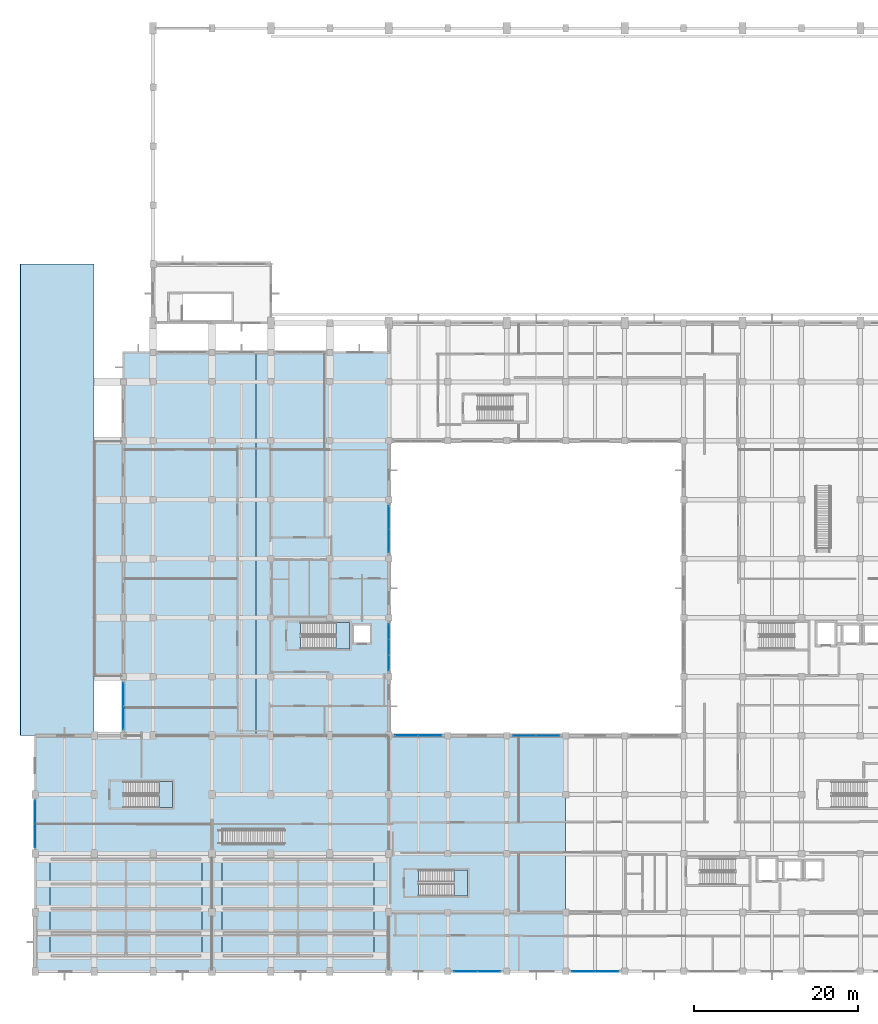
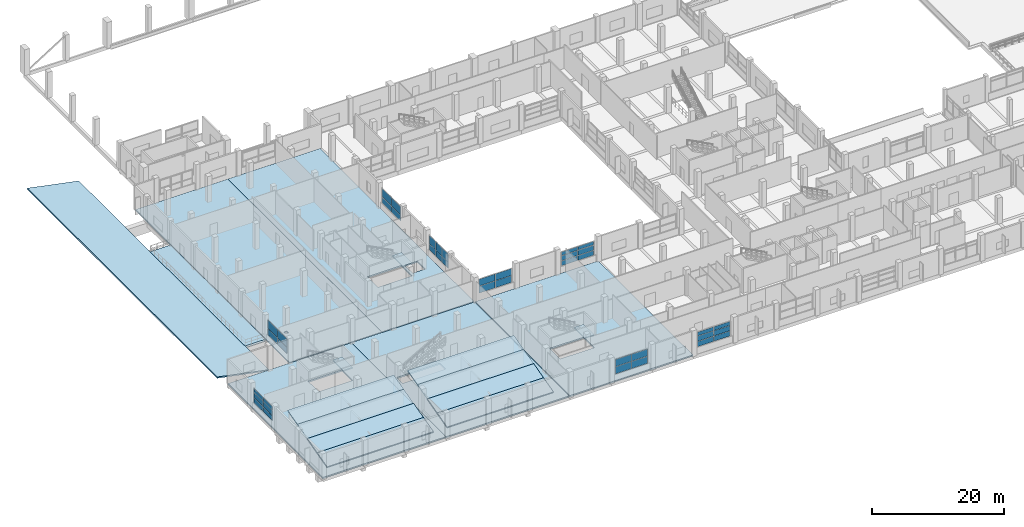
# One storey, part 111 of 140: 40 plates, 18 slabs, 11 elements without a shape of their own.
"""IFC4 building model written with IfcOpenShell, lengths in metres."""

from ifc_helpers import new_model, si_unit, direction, frame, origin, origin_2d, place, context, subcontext, project, spatial, polyline, rectangle, outline, extrude, material, layer, layer_set, type_object, element, aggregate, save


model = new_model("IFC4")

# Units and contexts
model_context = context("Model", 3, precision=1e-05, world=origin(), true_north=direction((0.0, 1.0)))
body_context = subcontext(model_context, "Body", "Model", "MODEL_VIEW")
ifc_project = project(units=[si_unit("LENGTHUNIT", "METRE"), si_unit("AREAUNIT", "SQUARE_METRE"), si_unit("VOLUMEUNIT", "CUBIC_METRE"), si_unit("PLANEANGLEUNIT", "RADIAN"), si_unit("MASSUNIT", "GRAM", prefix="KILO")], contexts=[model_context])

# Site, building, storey
site_placement = place(None, origin())
site = spatial("IfcSite", under=ifc_project, at=site_placement, CompositionType="ELEMENT")
building_placement = place(site_placement, origin())
building = spatial("IfcBuilding", under=site, at=building_placement, Name="Seraya Terrace Polytechnic", CompositionType="ELEMENT")
storey_placement = place(building_placement, frame((0.0, 0.0, 9.60009765625)))
storey = spatial("IfcBuildingStorey", under=building, at=storey_placement, Name="L02", CompositionType="ELEMENT", Elevation=9.60009765625)

# Curtain wall, plates
ifc_material_1 = material(Name="Anodised aluminium EN AW-6063 T6", Category="aluminium")
ifc_layer_1 = layer(ifc_material_1, 0.179931640625, Name="CW-04")
ifc_layer_set_1 = layer_set([ifc_layer_1], Name="Anodised aluminium EN AW-6063 T6")
curtain_wall_type_1 = type_object("IfcCurtainWallType", Name="CW-04", PredefinedType="NOTDEFINED", material=ifc_layer_set_1)
curtain_wall_1_placement = place(storey_placement, origin())
curtain_wall_1 = element("IfcCurtainWall", 1, at=curtain_wall_1_placement, inside=storey, type_object=curtain_wall_type_1, Name="Unitised curtain wall CW-04 (CW-L02-076)", PredefinedType="NOTDEFINED")
ifc_material_2 = material(Name="Laminated solar-control Low-E double glazing", Category="glass")
ifc_layer_2 = layer(ifc_material_2, 0.028076171875, Name="CWP-01")
ifc_layer_set_2 = layer_set([ifc_layer_2], Name="Laminated solar-control Low-E double glazing")
plate_type_1 = type_object("IfcPlateType", Name="CWP-01", PredefinedType="CURTAIN_PANEL", material=ifc_layer_set_2)
plate_1_placement = place(storey_placement, frame((55.423828125, 0.0, 1.2998046875), z_axis=(0.0, 0.0, 1.0), x_axis=(-1.0, 0.0, 0.0)))
plate_1 = element("IfcPlate", 2, at=plate_1_placement, type_object=plate_type_1, Name="CW-04 panel 1.1", PredefinedType="CURTAIN_PANEL", context=body_context, shape_type="SweptSolid", body=[
    extrude(rectangle(XDim=2.782470703125, YDim=0.028076171875, at=origin_2d()), origin(), (0.0, 0.0, 1.0), 1.2900390625),
])
plate_2_placement = place(storey_placement, frame((55.423828125, 0.0, 2.64990234375), z_axis=(0.0, 0.0, 1.0), x_axis=(-1.0, 0.0, 0.0)))
plate_2 = element("IfcPlate", 3, at=plate_2_placement, type_object=plate_type_1, Name="CW-04 panel 1.2", PredefinedType="CURTAIN_PANEL", context=body_context, shape_type="SweptSolid", body=[
    extrude(rectangle(XDim=2.782470703125, YDim=0.028076171875, at=origin_2d()), origin(), (0.0, 0.0, 1.0), 1.2900390625),
])
plate_3_placement = place(storey_placement, frame((52.576171875, 0.0, 1.2998046875), z_axis=(0.0, 0.0, 1.0), x_axis=(-1.0, 0.0, 0.0)))
plate_3 = element("IfcPlate", 4, at=plate_3_placement, type_object=plate_type_1, Name="CW-04 panel 2.1", PredefinedType="CURTAIN_PANEL", context=body_context, shape_type="SweptSolid", body=[
    extrude(rectangle(XDim=2.782470703125, YDim=0.028076171875, at=origin_2d()), origin(), (0.0, 0.0, 1.0), 1.2900390625),
])
plate_4_placement = place(storey_placement, frame((52.576171875, 0.0, 2.64990234375), z_axis=(0.0, 0.0, 1.0), x_axis=(-1.0, 0.0, 0.0)))
plate_4 = element("IfcPlate", 5, at=plate_4_placement, type_object=plate_type_1, Name="CW-04 panel 2.2", PredefinedType="CURTAIN_PANEL", context=body_context, shape_type="SweptSolid", body=[
    extrude(rectangle(XDim=2.782470703125, YDim=0.028076171875, at=origin_2d()), origin(), (0.0, 0.0, 1.0), 1.2900390625),
])
aggregate(curtain_wall_1, [plate_1, plate_2, plate_3, plate_4])

ifc_layer_3 = layer(ifc_material_1, 0.179931640625, Name="CW-07")
ifc_layer_set_3 = layer_set([ifc_layer_3], Name="Anodised aluminium EN AW-6063 T6")
curtain_wall_type_2 = type_object("IfcCurtainWallType", Name="CW-07", PredefinedType="NOTDEFINED", material=ifc_layer_set_3)
curtain_wall_2_placement = place(storey_placement, origin())
curtain_wall_2 = element("IfcCurtainWall", 6, at=curtain_wall_2_placement, inside=storey, type_object=curtain_wall_type_2, Name="Unitised curtain wall CW-07 (CW-L02-079)", PredefinedType="NOTDEFINED")
plate_5_placement = place(storey_placement, frame((59.7763671875, 28.800048828125, 1.300048828125), z_axis=(0.0, 0.0, 1.0), x_axis=(1.0, 0.0, 0.0)))
plate_5 = element("IfcPlate", 7, at=plate_5_placement, type_object=plate_type_1, Name="CW-07 panel 1.1", PredefinedType="CURTAIN_PANEL", context=body_context, shape_type="SweptSolid", body=[
    extrude(rectangle(XDim=2.782470703125, YDim=0.028076171875, at=origin_2d()), origin(), (0.0, 0.0, 1.0), 0.87109375),
])
plate_6_placement = place(storey_placement, frame((59.7763671875, 28.800048828125, 2.23095703125), z_axis=(0.0, 0.0, 1.0), x_axis=(1.0, 0.0, 0.0)))
plate_6 = element("IfcPlate", 8, at=plate_6_placement, type_object=plate_type_1, Name="CW-07 panel 1.2", PredefinedType="CURTAIN_PANEL", context=body_context, shape_type="SweptSolid", body=[
    extrude(rectangle(XDim=2.782470703125, YDim=0.028076171875, at=origin_2d()), origin(), (0.0, 0.0, 1.0), 0.901123046875),
])
plate_7_placement = place(storey_placement, frame((59.7763671875, 28.800048828125, 3.192138671875), z_axis=(0.0, 0.0, 1.0), x_axis=(1.0, 0.0, 0.0)))
plate_7 = element("IfcPlate", 9, at=plate_7_placement, type_object=plate_type_1, Name="CW-07 panel 1.3", PredefinedType="CURTAIN_PANEL", context=body_context, shape_type="SweptSolid", body=[
    extrude(rectangle(XDim=2.782470703125, YDim=0.028076171875, at=origin_2d()), origin(), (0.0, 0.0, 1.0), 0.65771484375),
])
plate_8_placement = place(storey_placement, frame((62.623779296875, 28.800048828125, 1.300048828125), z_axis=(0.0, 0.0, 1.0), x_axis=(1.0, 0.0, 0.0)))
plate_8 = element("IfcPlate", 10, at=plate_8_placement, type_object=plate_type_1, Name="CW-07 panel 2.1", PredefinedType="CURTAIN_PANEL", context=body_context, shape_type="SweptSolid", body=[
    extrude(rectangle(XDim=2.782470703125, YDim=0.028076171875, at=origin_2d()), origin(), (0.0, 0.0, 1.0), 0.87109375),
])
plate_9_placement = place(storey_placement, frame((62.623779296875, 28.800048828125, 2.23095703125), z_axis=(0.0, 0.0, 1.0), x_axis=(1.0, 0.0, 0.0)))
plate_9 = element("IfcPlate", 11, at=plate_9_placement, type_object=plate_type_1, Name="CW-07 panel 2.2", PredefinedType="CURTAIN_PANEL", context=body_context, shape_type="SweptSolid", body=[
    extrude(rectangle(XDim=2.782470703125, YDim=0.028076171875, at=origin_2d()), origin(), (0.0, 0.0, 1.0), 0.901123046875),
])
plate_10_placement = place(storey_placement, frame((62.623779296875, 28.800048828125, 3.192138671875), z_axis=(0.0, 0.0, 1.0), x_axis=(1.0, 0.0, 0.0)))
plate_10 = element("IfcPlate", 12, at=plate_10_placement, type_object=plate_type_1, Name="CW-07 panel 2.3", PredefinedType="CURTAIN_PANEL", context=body_context, shape_type="SweptSolid", body=[
    extrude(rectangle(XDim=2.782470703125, YDim=0.028076171875, at=origin_2d()), origin(), (0.0, 0.0, 1.0), 0.65771484375),
])
aggregate(curtain_wall_2, [plate_5, plate_6, plate_7, plate_8, plate_9, plate_10])

ifc_layer_4 = layer(ifc_material_1, 0.179931640625, Name="CW-20")
ifc_layer_set_4 = layer_set([ifc_layer_4], Name="Anodised aluminium EN AW-6063 T6")
curtain_wall_type_3 = type_object("IfcCurtainWallType", Name="CW-20", PredefinedType="NOTDEFINED", material=ifc_layer_set_4)
curtain_wall_3_placement = place(storey_placement, origin())
curtain_wall_3 = element("IfcCurtainWall", 13, at=curtain_wall_3_placement, inside=storey, type_object=curtain_wall_type_3, Name="Unitised curtain wall CW-20 (CW-L02-056)", PredefinedType="NOTDEFINED")
ifc_layer_5 = layer(ifc_material_2, 0.031982421875, Name="CWP-02")
ifc_layer_set_5 = layer_set([ifc_layer_5], Name="Laminated solar-control Low-E double glazing")
plate_type_2 = type_object("IfcPlateType", Name="CWP-02", PredefinedType="CURTAIN_PANEL", material=ifc_layer_set_5)
plate_11_placement = place(storey_placement, frame((10.800048828125, 30.97509765625, 1.2998046875), z_axis=(0.0, 0.0, 1.0), x_axis=(0.0, 1.0, 0.0)))
plate_11 = element("IfcPlate", 14, at=plate_11_placement, type_object=plate_type_2, Name="CW-20 panel 1.1", PredefinedType="CURTAIN_PANEL", context=body_context, shape_type="SweptSolid", body=[
    extrude(rectangle(XDim=2.7900390625, YDim=0.031982421875, at=origin_2d()), origin(), (0.0, 0.0, 1.0), 1.102783203125),
])
plate_12_placement = place(storey_placement, frame((10.800048828125, 30.97509765625, 2.462646484375), z_axis=(0.0, 0.0, 1.0), x_axis=(0.0, 1.0, 0.0)))
plate_12 = element("IfcPlate", 15, at=plate_12_placement, type_object=plate_type_2, Name="CW-20 panel 1.2", PredefinedType="CURTAIN_PANEL", context=body_context, shape_type="SweptSolid", body=[
    extrude(rectangle(XDim=2.7900390625, YDim=0.031982421875, at=origin_2d()), origin(), (0.0, 0.0, 1.0), 1.55712890625),
])
plate_13_placement = place(storey_placement, frame((10.800048828125, 33.824951171875, 1.2998046875), z_axis=(0.0, 0.0, 1.0), x_axis=(0.0, 1.0, 0.0)))
plate_13 = element("IfcPlate", 16, at=plate_13_placement, type_object=plate_type_2, Name="CW-20 panel 2.1", PredefinedType="CURTAIN_PANEL", context=body_context, shape_type="SweptSolid", body=[
    extrude(rectangle(XDim=2.7900390625, YDim=0.031982421875, at=origin_2d()), origin(), (0.0, 0.0, 1.0), 1.102783203125),
])
plate_14_placement = place(storey_placement, frame((10.800048828125, 33.824951171875, 2.462646484375), z_axis=(0.0, 0.0, 1.0), x_axis=(0.0, 1.0, 0.0)))
plate_14 = element("IfcPlate", 17, at=plate_14_placement, type_object=plate_type_2, Name="CW-20 panel 2.2", PredefinedType="CURTAIN_PANEL", context=body_context, shape_type="SweptSolid", body=[
    extrude(rectangle(XDim=2.7900390625, YDim=0.031982421875, at=origin_2d()), origin(), (0.0, 0.0, 1.0), 1.55712890625),
])
aggregate(curtain_wall_3, [plate_11, plate_12, plate_13, plate_14])

ifc_layer_6 = layer(ifc_material_1, 0.179931640625, Name="CW-05")
ifc_layer_set_6 = layer_set([ifc_layer_6], Name="Anodised aluminium EN AW-6063 T6")
curtain_wall_type_4 = type_object("IfcCurtainWallType", Name="CW-05", PredefinedType="NOTDEFINED", material=ifc_layer_set_6)
curtain_wall_4_placement = place(storey_placement, origin())
curtain_wall_4 = element("IfcCurtainWall", 18, at=curtain_wall_4_placement, inside=storey, type_object=curtain_wall_type_4, Name="Unitised curtain wall CW-05 (CW-L02-077)", PredefinedType="NOTDEFINED")
plate_15_placement = place(storey_placement, frame((0.0, 16.574951171875, 1.2998046875), z_axis=(0.0, 0.0, 1.0), x_axis=(0.0, 1.0, 0.0)))
plate_15 = element("IfcPlate", 19, at=plate_15_placement, type_object=plate_type_2, Name="CW-05 panel 1.1", PredefinedType="CURTAIN_PANEL", context=body_context, shape_type="SweptSolid", body=[
    extrude(rectangle(XDim=2.7900390625, YDim=0.031982421875, at=origin_2d()), origin(), (0.0, 0.0, 1.0), 0.88916015625),
])
plate_16_placement = place(storey_placement, frame((0.0, 16.574951171875, 2.2490234375), z_axis=(0.0, 0.0, 1.0), x_axis=(0.0, 1.0, 0.0)))
plate_16 = element("IfcPlate", 20, at=plate_16_placement, type_object=plate_type_2, Name="CW-05 panel 1.2", PredefinedType="CURTAIN_PANEL", context=body_context, shape_type="SweptSolid", body=[
    extrude(rectangle(XDim=2.7900390625, YDim=0.031982421875, at=origin_2d()), origin(), (0.0, 0.0, 1.0), 0.919189453125),
])
plate_17_placement = place(storey_placement, frame((0.0, 16.574951171875, 3.228515625), z_axis=(0.0, 0.0, 1.0), x_axis=(0.0, 1.0, 0.0)))
plate_17 = element("IfcPlate", 21, at=plate_17_placement, type_object=plate_type_2, Name="CW-05 panel 1.3", PredefinedType="CURTAIN_PANEL", context=body_context, shape_type="SweptSolid", body=[
    extrude(rectangle(XDim=2.7900390625, YDim=0.031982421875, at=origin_2d()), origin(), (0.0, 0.0, 1.0), 0.671630859375),
])
plate_18_placement = place(storey_placement, frame((0.0, 19.425048828125, 1.2998046875), z_axis=(0.0, 0.0, 1.0), x_axis=(0.0, 1.0, 0.0)))
plate_18 = element("IfcPlate", 22, at=plate_18_placement, type_object=plate_type_2, Name="CW-05 panel 2.1", PredefinedType="CURTAIN_PANEL", context=body_context, shape_type="SweptSolid", body=[
    extrude(rectangle(XDim=2.7900390625, YDim=0.031982421875, at=origin_2d()), origin(), (0.0, 0.0, 1.0), 0.88916015625),
])
plate_19_placement = place(storey_placement, frame((0.0, 19.425048828125, 2.2490234375), z_axis=(0.0, 0.0, 1.0), x_axis=(0.0, 1.0, 0.0)))
plate_19 = element("IfcPlate", 23, at=plate_19_placement, type_object=plate_type_2, Name="CW-05 panel 2.2", PredefinedType="CURTAIN_PANEL", context=body_context, shape_type="SweptSolid", body=[
    extrude(rectangle(XDim=2.7900390625, YDim=0.031982421875, at=origin_2d()), origin(), (0.0, 0.0, 1.0), 0.919189453125),
])
plate_20_placement = place(storey_placement, frame((0.0, 19.425048828125, 3.228515625), z_axis=(0.0, 0.0, 1.0), x_axis=(0.0, 1.0, 0.0)))
plate_20 = element("IfcPlate", 24, at=plate_20_placement, type_object=plate_type_2, Name="CW-05 panel 2.3", PredefinedType="CURTAIN_PANEL", context=body_context, shape_type="SweptSolid", body=[
    extrude(rectangle(XDim=2.7900390625, YDim=0.031982421875, at=origin_2d()), origin(), (0.0, 0.0, 1.0), 0.671630859375),
])
aggregate(curtain_wall_4, [plate_15, plate_16, plate_17, plate_18, plate_19, plate_20])

ifc_layer_7 = layer(ifc_material_1, 0.179931640625, Name="CW-14")
ifc_layer_set_7 = layer_set([ifc_layer_7], Name="Anodised aluminium EN AW-6063 T6")
curtain_wall_type_5 = type_object("IfcCurtainWallType", Name="CW-14", PredefinedType="NOTDEFINED", material=ifc_layer_set_7)
curtain_wall_5_placement = place(storey_placement, origin())
curtain_wall_5 = element("IfcCurtainWall", 25, at=curtain_wall_5_placement, inside=storey, type_object=curtain_wall_type_5, Name="Unitised curtain wall CW-14 (CW-L02-086)", PredefinedType="NOTDEFINED")
plate_21_placement = place(storey_placement, frame((43.199951171875, 55.425048828125, 1.2998046875), z_axis=(0.0, 0.0, 1.0), x_axis=(0.0, -1.0, 0.0)))
plate_21 = element("IfcPlate", 26, at=plate_21_placement, type_object=plate_type_2, Name="CW-14 panel 1.1", PredefinedType="CURTAIN_PANEL", context=body_context, shape_type="SweptSolid", body=[
    extrude(rectangle(XDim=2.7900390625, YDim=0.031982421875, at=origin_2d()), origin(), (0.0, 0.0, 1.0), 1.073486328125),
])
plate_22_placement = place(storey_placement, frame((43.199951171875, 55.425048828125, 2.433349609375), z_axis=(0.0, 0.0, 1.0), x_axis=(0.0, -1.0, 0.0)))
plate_22 = element("IfcPlate", 27, at=plate_22_placement, type_object=plate_type_2, Name="CW-14 panel 1.2", PredefinedType="CURTAIN_PANEL", context=body_context, shape_type="SweptSolid", body=[
    extrude(rectangle(XDim=2.7900390625, YDim=0.031982421875, at=origin_2d()), origin(), (0.0, 0.0, 1.0), 1.5166015625),
])
plate_23_placement = place(storey_placement, frame((43.199951171875, 52.574951171875, 1.2998046875), z_axis=(0.0, 0.0, 1.0), x_axis=(0.0, -1.0, 0.0)))
plate_23 = element("IfcPlate", 28, at=plate_23_placement, type_object=plate_type_2, Name="CW-14 panel 2.1", PredefinedType="CURTAIN_PANEL", context=body_context, shape_type="SweptSolid", body=[
    extrude(rectangle(XDim=2.7900390625, YDim=0.031982421875, at=origin_2d()), origin(), (0.0, 0.0, 1.0), 1.073486328125),
])
plate_24_placement = place(storey_placement, frame((43.199951171875, 52.574951171875, 2.433349609375), z_axis=(0.0, 0.0, 1.0), x_axis=(0.0, -1.0, 0.0)))
plate_24 = element("IfcPlate", 29, at=plate_24_placement, type_object=plate_type_2, Name="CW-14 panel 2.2", PredefinedType="CURTAIN_PANEL", context=body_context, shape_type="SweptSolid", body=[
    extrude(rectangle(XDim=2.7900390625, YDim=0.031982421875, at=origin_2d()), origin(), (0.0, 0.0, 1.0), 1.5166015625),
])
aggregate(curtain_wall_5, [plate_21, plate_22, plate_23, plate_24])

ifc_layer_8 = layer(ifc_material_1, 0.179931640625, Name="CW-03")
ifc_layer_set_8 = layer_set([ifc_layer_8], Name="Anodised aluminium EN AW-6063 T6")
curtain_wall_type_6 = type_object("IfcCurtainWallType", Name="CW-03", PredefinedType="NOTDEFINED", material=ifc_layer_set_8)
curtain_wall_6_placement = place(storey_placement, origin())
curtain_wall_6 = element("IfcCurtainWall", 30, at=curtain_wall_6_placement, inside=storey, type_object=curtain_wall_type_6, Name="Unitised curtain wall CW-03 (CW-L02-075)", PredefinedType="NOTDEFINED")
ifc_layer_9 = layer(ifc_material_2, 0.035888671875, Name="CWP-03")
ifc_layer_set_9 = layer_set([ifc_layer_9], Name="Laminated solar-control Low-E double glazing")
plate_type_3 = type_object("IfcPlateType", Name="CWP-03", PredefinedType="CURTAIN_PANEL", material=ifc_layer_set_9)
plate_25_placement = place(storey_placement, frame((69.824951171875, 0.0, 1.294921875), z_axis=(0.0, 0.0, 1.0), x_axis=(-1.0, 0.0, 0.0)))
plate_25 = element("IfcPlate", 31, at=plate_25_placement, type_object=plate_type_3, Name="CW-03 panel 1.1", PredefinedType="CURTAIN_PANEL", context=body_context, shape_type="SweptSolid", body=[
    extrude(rectangle(XDim=2.7900390625, YDim=0.035888671875, at=origin_2d()), origin(), (0.0, 0.0, 1.0), 0.925537109375),
])
plate_26_placement = place(storey_placement, frame((69.824951171875, 0.0, 2.275390625), z_axis=(0.0, 0.0, 1.0), x_axis=(-1.0, 0.0, 0.0)))
plate_26 = element("IfcPlate", 32, at=plate_26_placement, type_object=plate_type_3, Name="CW-03 panel 1.2", PredefinedType="CURTAIN_PANEL", context=body_context, shape_type="SweptSolid", body=[
    extrude(rectangle(XDim=2.7900390625, YDim=0.035888671875, at=origin_2d()), origin(), (0.0, 0.0, 1.0), 0.952880859375),
])
plate_27_placement = place(storey_placement, frame((69.824951171875, 0.0, 3.283203125), z_axis=(0.0, 0.0, 1.0), x_axis=(-1.0, 0.0, 0.0)))
plate_27 = element("IfcPlate", 33, at=plate_27_placement, type_object=plate_type_3, Name="CW-03 panel 1.3", PredefinedType="CURTAIN_PANEL", context=body_context, shape_type="SweptSolid", body=[
    extrude(rectangle(XDim=2.7900390625, YDim=0.035888671875, at=origin_2d()), origin(), (0.0, 0.0, 1.0), 0.701416015625),
])
plate_28_placement = place(storey_placement, frame((66.97509765625, 0.0, 1.294921875), z_axis=(0.0, 0.0, 1.0), x_axis=(-1.0, 0.0, 0.0)))
plate_28 = element("IfcPlate", 34, at=plate_28_placement, type_object=plate_type_3, Name="CW-03 panel 2.1", PredefinedType="CURTAIN_PANEL", context=body_context, shape_type="SweptSolid", body=[
    extrude(rectangle(XDim=2.7900390625, YDim=0.035888671875, at=origin_2d()), origin(), (0.0, 0.0, 1.0), 0.925537109375),
])
plate_29_placement = place(storey_placement, frame((66.97509765625, 0.0, 2.275390625), z_axis=(0.0, 0.0, 1.0), x_axis=(-1.0, 0.0, 0.0)))
plate_29 = element("IfcPlate", 35, at=plate_29_placement, type_object=plate_type_3, Name="CW-03 panel 2.2", PredefinedType="CURTAIN_PANEL", context=body_context, shape_type="SweptSolid", body=[
    extrude(rectangle(XDim=2.7900390625, YDim=0.035888671875, at=origin_2d()), origin(), (0.0, 0.0, 1.0), 0.952880859375),
])
plate_30_placement = place(storey_placement, frame((66.97509765625, 0.0, 3.283203125), z_axis=(0.0, 0.0, 1.0), x_axis=(-1.0, 0.0, 0.0)))
plate_30 = element("IfcPlate", 36, at=plate_30_placement, type_object=plate_type_3, Name="CW-03 panel 2.3", PredefinedType="CURTAIN_PANEL", context=body_context, shape_type="SweptSolid", body=[
    extrude(rectangle(XDim=2.7900390625, YDim=0.035888671875, at=origin_2d()), origin(), (0.0, 0.0, 1.0), 0.701416015625),
])
aggregate(curtain_wall_6, [plate_25, plate_26, plate_27, plate_28, plate_29, plate_30])

ifc_layer_10 = layer(ifc_material_1, 0.179931640625, Name="CW-06")
ifc_layer_set_10 = layer_set([ifc_layer_10], Name="Anodised aluminium EN AW-6063 T6")
curtain_wall_type_7 = type_object("IfcCurtainWallType", Name="CW-06", PredefinedType="NOTDEFINED", material=ifc_layer_set_10)
curtain_wall_7_placement = place(storey_placement, origin())
curtain_wall_7 = element("IfcCurtainWall", 37, at=curtain_wall_7_placement, inside=storey, type_object=curtain_wall_type_7, Name="Unitised curtain wall CW-06 (CW-L02-078)", PredefinedType="NOTDEFINED")
plate_31_placement = place(storey_placement, frame((45.375, 28.800048828125, 1.294921875), z_axis=(0.0, 0.0, 1.0), x_axis=(1.0, 0.0, 0.0)))
plate_31 = element("IfcPlate", 38, at=plate_31_placement, type_object=plate_type_3, Name="CW-06 panel 1.1", PredefinedType="CURTAIN_PANEL", context=body_context, shape_type="SweptSolid", body=[
    extrude(rectangle(XDim=2.7900390625, YDim=0.035888671875, at=origin_2d()), origin(), (0.0, 0.0, 1.0), 1.25244140625),
])
plate_32_placement = place(storey_placement, frame((45.375, 28.800048828125, 2.6025390625), z_axis=(0.0, 0.0, 1.0), x_axis=(1.0, 0.0, 0.0)))
plate_32 = element("IfcPlate", 39, at=plate_32_placement, type_object=plate_type_3, Name="CW-06 panel 1.2", PredefinedType="CURTAIN_PANEL", context=body_context, shape_type="SweptSolid", body=[
    extrude(rectangle(XDim=2.7900390625, YDim=0.035888671875, at=origin_2d()), origin(), (0.0, 0.0, 1.0), 1.25244140625),
])
plate_33_placement = place(storey_placement, frame((48.22509765625, 28.800048828125, 1.294921875), z_axis=(0.0, 0.0, 1.0), x_axis=(1.0, 0.0, 0.0)))
plate_33 = element("IfcPlate", 40, at=plate_33_placement, type_object=plate_type_3, Name="CW-06 panel 2.1", PredefinedType="CURTAIN_PANEL", context=body_context, shape_type="SweptSolid", body=[
    extrude(rectangle(XDim=2.7900390625, YDim=0.035888671875, at=origin_2d()), origin(), (0.0, 0.0, 1.0), 1.25244140625),
])
plate_34_placement = place(storey_placement, frame((48.22509765625, 28.800048828125, 2.6025390625), z_axis=(0.0, 0.0, 1.0), x_axis=(1.0, 0.0, 0.0)))
plate_34 = element("IfcPlate", 41, at=plate_34_placement, type_object=plate_type_3, Name="CW-06 panel 2.2", PredefinedType="CURTAIN_PANEL", context=body_context, shape_type="SweptSolid", body=[
    extrude(rectangle(XDim=2.7900390625, YDim=0.035888671875, at=origin_2d()), origin(), (0.0, 0.0, 1.0), 1.25244140625),
])
aggregate(curtain_wall_7, [plate_31, plate_32, plate_33, plate_34])

ifc_layer_11 = layer(ifc_material_1, 0.179931640625, Name="CW-15")
ifc_layer_set_11 = layer_set([ifc_layer_11], Name="Anodised aluminium EN AW-6063 T6")
curtain_wall_type_8 = type_object("IfcCurtainWallType", Name="CW-15", PredefinedType="NOTDEFINED", material=ifc_layer_set_11)
curtain_wall_8_placement = place(storey_placement, origin())
curtain_wall_8 = element("IfcCurtainWall", 42, at=curtain_wall_8_placement, inside=storey, type_object=curtain_wall_type_8, Name="Unitised curtain wall CW-15 (CW-L02-087)", PredefinedType="NOTDEFINED")
plate_35_placement = place(storey_placement, frame((43.199951171875, 41.5048828125, 1.294921875), z_axis=(0.0, 0.0, 1.0), x_axis=(0.0, -1.0, 0.0)))
plate_35 = element("IfcPlate", 43, at=plate_35_placement, type_object=plate_type_3, Name="CW-15 panel 1.1", PredefinedType="CURTAIN_PANEL", context=body_context, shape_type="SweptSolid", body=[
    extrude(rectangle(XDim=1.830078125, YDim=0.035888671875, at=origin_2d()), origin(), (0.0, 0.0, 1.0), 1.080810546875),
])
plate_36_placement = place(storey_placement, frame((43.199951171875, 41.5048828125, 2.4306640625), z_axis=(0.0, 0.0, 1.0), x_axis=(0.0, -1.0, 0.0)))
plate_36 = element("IfcPlate", 44, at=plate_36_placement, type_object=plate_type_3, Name="CW-15 panel 1.2", PredefinedType="CURTAIN_PANEL", context=body_context, shape_type="SweptSolid", body=[
    extrude(rectangle(XDim=1.830078125, YDim=0.035888671875, at=origin_2d()), origin(), (0.0, 0.0, 1.0), 1.524169921875),
])
plate_37_placement = place(storey_placement, frame((43.199951171875, 39.60009765625, 1.294921875), z_axis=(0.0, 0.0, 1.0), x_axis=(0.0, -1.0, 0.0)))
plate_37 = element("IfcPlate", 45, at=plate_37_placement, type_object=plate_type_3, Name="CW-15 panel 2.1", PredefinedType="CURTAIN_PANEL", context=body_context, shape_type="SweptSolid", body=[
    extrude(rectangle(XDim=1.860107421875, YDim=0.035888671875, at=origin_2d()), origin(), (0.0, 0.0, 1.0), 1.080810546875),
])
plate_38_placement = place(storey_placement, frame((43.199951171875, 39.60009765625, 2.4306640625), z_axis=(0.0, 0.0, 1.0), x_axis=(0.0, -1.0, 0.0)))
plate_38 = element("IfcPlate", 46, at=plate_38_placement, type_object=plate_type_3, Name="CW-15 panel 2.2", PredefinedType="CURTAIN_PANEL", context=body_context, shape_type="SweptSolid", body=[
    extrude(rectangle(XDim=1.860107421875, YDim=0.035888671875, at=origin_2d()), origin(), (0.0, 0.0, 1.0), 1.524169921875),
])
plate_39_placement = place(storey_placement, frame((43.199951171875, 37.695068359375, 1.294921875), z_axis=(0.0, 0.0, 1.0), x_axis=(0.0, -1.0, 0.0)))
plate_39 = element("IfcPlate", 47, at=plate_39_placement, type_object=plate_type_3, Name="CW-15 panel 3.1", PredefinedType="CURTAIN_PANEL", context=body_context, shape_type="SweptSolid", body=[
    extrude(rectangle(XDim=1.830078125, YDim=0.035888671875, at=origin_2d()), origin(), (0.0, 0.0, 1.0), 1.080810546875),
])
plate_40_placement = place(storey_placement, frame((43.199951171875, 37.695068359375, 2.4306640625), z_axis=(0.0, 0.0, 1.0), x_axis=(0.0, -1.0, 0.0)))
plate_40 = element("IfcPlate", 48, at=plate_40_placement, type_object=plate_type_3, Name="CW-15 panel 3.2", PredefinedType="CURTAIN_PANEL", context=body_context, shape_type="SweptSolid", body=[
    extrude(rectangle(XDim=1.830078125, YDim=0.035888671875, at=origin_2d()), origin(), (0.0, 0.0, 1.0), 1.524169921875),
])
aggregate(curtain_wall_8, [plate_35, plate_36, plate_37, plate_38, plate_39, plate_40])

# Slabs
ifc_material_3 = material(Name="Concrete C40/50", Category="concrete")
ifc_layer_12 = layer(ifc_material_3, 0.260009765625, Name="FS-02")
ifc_layer_set_12 = layer_set([ifc_layer_12], Name="Concrete C40/50")
slab_type_1 = type_object("IfcSlabType", Name="FS-02", PredefinedType="FLOOR", material=ifc_layer_set_12)
slab_1_placement = place(storey_placement, frame((0.0, 0.0, -0.260009765625)))
element("IfcSlab", 49, at=slab_1_placement, inside=storey, type_object=slab_type_1, Name="Floor slab SLB-V2-SOUTH-L02-S1 (FS-02)", PredefinedType="FLOOR", context=body_context, shape_type="SweptSolid", body=[
    extrude(outline(polyline([(43.260009765625, 28.739990234375), (64.800048828125, 28.739990234375), (64.800048828125, 0.06005859375), (43.260009765625, 0.06005859375), (43.260009765625, 28.739990234375)]), holes=[polyline([(46.840087890625, 12.39990234375), (46.840087890625, 9.199951171875), (52.800048828125, 9.199951171875), (52.800048828125, 12.39990234375), (46.840087890625, 12.39990234375)])]), origin(), (0.0, 0.0, 1.0), 0.260009765625),
])
ifc_layer_13 = layer(ifc_material_3, 0.25, Name="FS-03")
ifc_layer_set_13 = layer_set([ifc_layer_13], Name="Concrete C40/50")
slab_type_2 = type_object("IfcSlabType", Name="FS-03", PredefinedType="FLOOR", material=ifc_layer_set_13)
slab_2_placement = place(storey_placement, frame((0.0, 0.0, -0.25)))
element("IfcSlab", 50, at=slab_2_placement, inside=storey, type_object=slab_type_2, Name="Floor slab SLB-V2-WEST-L02-S1 (FS-03)", PredefinedType="FLOOR", context=body_context, shape_type="SweptSolid", body=[
    extrude(outline(polyline([(27.0, 75.5400390625), (27.0, 28.860107421875), (10.860107421875, 28.860107421875), (10.860107421875, 75.5400390625), (27.0, 75.5400390625)]), holes=[polyline([(14.14990234375, 36.25), (14.14990234375, 35.75), (14.64990234375, 35.75), (14.64990234375, 36.25), (14.14990234375, 36.25)])]), origin(), (0.0, 0.0, 1.0), 0.25),
])
slab_3_placement = place(storey_placement, frame((0.0, 0.0, -0.25)))
element("IfcSlab", 51, at=slab_3_placement, inside=storey, type_object=slab_type_2, Name="Floor slab SLB-V2-WEST-L02-S2 (FS-03)", PredefinedType="FLOOR", context=body_context, shape_type="SweptSolid", body=[
    extrude(outline(polyline([(43.139892578125, 75.5400390625), (43.139892578125, 28.860107421875), (27.0048828125, 28.860107421875), (27.0048828125, 75.5400390625), (43.139892578125, 75.5400390625)]), holes=[polyline([(38.39990234375, 42.60009765625), (32.43994140625, 42.60009765625), (32.43994140625, 39.39990234375), (38.39990234375, 39.39990234375), (38.39990234375, 42.60009765625)]), polyline([(41.02001953125, 42.39990234375), (38.820068359375, 42.39990234375), (38.820068359375, 40.0), (41.02001953125, 40.0), (41.02001953125, 42.39990234375)])]), origin(), (0.0, 0.0, 1.0), 0.25),
])
ifc_layer_14 = layer(ifc_material_3, 0.27001953125, Name="FS-05")
ifc_layer_set_14 = layer_set([ifc_layer_14], Name="Concrete C40/50")
slab_type_3 = type_object("IfcSlabType", Name="FS-05", PredefinedType="FLOOR", material=ifc_layer_set_14)
slab_4_placement = place(storey_placement, frame((0.0, 0.0, -0.27001953125)))
element("IfcSlab", 52, at=slab_4_placement, inside=storey, type_object=slab_type_3, Name="Floor slab SLB-V3-LECT-L02-S1 (FS-05)", PredefinedType="FLOOR", context=body_context, shape_type="SweptSolid", body=[
    extrude(outline(polyline([(0.06005859375, 28.739990234375), (21.60009765625, 28.739990234375), (21.60009765625, 0.06005859375), (0.06005859375, 0.06005859375), (0.06005859375, 28.739990234375)]), holes=[polyline([(16.800048828125, 23.199951171875), (10.840087890625, 23.199951171875), (10.840087890625, 20.0), (16.800048828125, 20.0), (16.800048828125, 23.199951171875)])]), origin(), (0.0, 0.0, 1.0), 0.27001953125),
])
slab_5_placement = place(storey_placement, frame((0.0, 0.0, -0.27001953125)))
element("IfcSlab", 53, at=slab_5_placement, inside=storey, type_object=slab_type_3, Name="Floor slab SLB-V3-LECT-L02-S2 (FS-05)", PredefinedType="FLOOR", context=body_context, shape_type="SweptSolid", body=[
    extrude(outline(polyline([(43.139892578125, 28.739990234375), (43.139892578125, 0.06005859375), (21.60498046875, 0.06005859375), (21.60498046875, 28.739990234375), (43.139892578125, 28.739990234375)]), holes=[polyline([(22.9599609375, 17.330078125), (22.9599609375, 15.550048828125), (30.47998046875, 15.550048828125), (30.47998046875, 17.330078125), (22.9599609375, 17.330078125)])]), origin(), (0.0, 0.0, 1.0), 0.27001953125),
])
ifc_layer_15 = layer(ifc_material_3, 0.239990234375, Name="RS-04")
ifc_layer_set_15 = layer_set([ifc_layer_15], Name="Concrete C40/50")
slab_type_4 = type_object("IfcSlabType", Name="RS-04", PredefinedType="ROOF", material=ifc_layer_set_15)
slab_6_placement = place(storey_placement, frame((-1.800048828125, 28.800048828125, 1.7998046875), z_axis=(0.196095673508, 0.0, 0.980584767795), x_axis=(0.980584767795, 0.0, -0.196095673508)))
element("IfcSlab", 54, at=slab_6_placement, inside=storey, type_object=slab_type_4, Name="West Avenue V-pier colonnade sloped concrete canopy", PredefinedType="ROOF", context=body_context, shape_type="SweptSolid", body=[
    extrude(outline(polyline([(0.0, 0.0), (9.178196822532572, 0.0), (9.178196822532572, 57.599853515625), (0.0, 57.599853515625), (0.0, 0.0)])), origin(), (0.0, 0.0, -1.0), 0.239990234375),
])

# Stair, slab
stair_type = type_object("IfcStairType", Name="ST-T1", PredefinedType="HALF_TURN_STAIR", material=ifc_material_3)
stair_1_placement = place(storey_placement, origin())
stair_1 = element("IfcStair", 55, at=stair_1_placement, inside=storey, type_object=stair_type, Name="L02 Protected exit stair ST-03", PredefinedType="HALF_TURN_STAIR")
ifc_layer_16 = layer(ifc_material_3, 0.199951171875, Name="SL-01")
ifc_layer_set_16 = layer_set([ifc_layer_16], Name="Concrete C40/50")
slab_type_5 = type_object("IfcSlabType", Name="SL-01", PredefinedType="LANDING", material=ifc_layer_set_16)
slab_7_placement = place(storey_placement, frame((0.0, 0.0, 2.199951171875)))
slab_7 = element("IfcSlab", 56, at=slab_7_placement, type_object=slab_type_5, Name="ST-03 landing 1", PredefinedType="LANDING", context=body_context, shape_type="SweptSolid", body=[
    extrude(outline(polyline([(51.14990234375, 9.199951171875), (52.800048828125, 9.199951171875), (52.800048828125, 12.39990234375), (51.14990234375, 12.39990234375), (51.14990234375, 9.199951171875)])), origin(), (0.0, 0.0, 1.0), 0.199951171875),
])
aggregate(stair_1, [slab_7])

stair_2_placement = place(storey_placement, origin())
stair_2 = element("IfcStair", 57, at=stair_2_placement, inside=storey, type_object=stair_type, Name="L02 Protected exit stair ST-04", PredefinedType="HALF_TURN_STAIR")
slab_8_placement = place(storey_placement, frame((0.0, 0.0, 2.199951171875)))
slab_8 = element("IfcSlab", 58, at=slab_8_placement, type_object=slab_type_5, Name="ST-04 landing 1", PredefinedType="LANDING", context=body_context, shape_type="SweptSolid", body=[
    extrude(outline(polyline([(36.75, 39.39990234375), (38.39990234375, 39.39990234375), (38.39990234375, 42.60009765625), (36.75, 42.60009765625), (36.75, 39.39990234375)])), origin(), (0.0, 0.0, 1.0), 0.199951171875),
])
aggregate(stair_2, [slab_8])

stair_3_placement = place(storey_placement, origin())
stair_3 = element("IfcStair", 59, at=stair_3_placement, inside=storey, type_object=stair_type, Name="L02 Protected exit stair ST-09", PredefinedType="HALF_TURN_STAIR")
slab_9_placement = place(storey_placement, frame((0.0, 0.0, 2.199951171875)))
slab_9 = element("IfcSlab", 60, at=slab_9_placement, type_object=slab_type_5, Name="ST-09 landing 1", PredefinedType="LANDING", context=body_context, shape_type="SweptSolid", body=[
    extrude(outline(polyline([(15.14990234375, 20.0), (16.800048828125, 20.0), (16.800048828125, 23.199951171875), (15.14990234375, 23.199951171875), (15.14990234375, 20.0)])), origin(), (0.0, 0.0, 1.0), 0.199951171875),
])
aggregate(stair_3, [slab_9])

# Slabs
ifc_layer_17 = layer(ifc_material_3, 0.18994140625, Name="SR-02")
ifc_layer_set_17 = layer_set([ifc_layer_17], Name="Concrete C40/50")
slab_type_6 = type_object("IfcSlabType", Name="SR-02", PredefinedType="USERDEFINED", material=ifc_layer_set_17)
for number, where, z_axis, x_axis, name in (
    (61, (1.800048828125, 1.800048828125, 0.2998046875), (0.0, -0.25767733287, 0.966231024199), (1.0, 0.0, 0.0), "Raked lecture seating tier LT3 bank 1"),
    (62, (1.800048828125, 4.800048828125, 1.099853515625), (0.0, -0.25767733287, 0.966231024199), (1.0, 0.0, 0.0), "Raked lecture seating tier LT3 bank 2"),
    (63, (1.800048828125, 7.800048828125, 1.89990234375), (0.0, -0.25767733287, 0.966231024199), (1.0, 0.0, 0.0), "Raked lecture seating tier LT3 bank 3"),
    (64, (1.800048828125, 10.800048828125, 2.699951171875), (0.0, -0.25767733287, 0.966231024199), (1.0, 0.0, 0.0), "Raked lecture seating tier LT3 bank 4"),
    (65, (22.800048828125, 1.800048828125, 0.2998046875), (0.0, -0.25767733287, 0.966231024199), (1.0, 0.0, 0.0), "Raked lecture seating tier LT4 bank 1"),
    (66, (22.800048828125, 4.800048828125, 1.099853515625), (0.0, -0.25767733287, 0.966231024199), (1.0, 0.0, 0.0), "Raked lecture seating tier LT4 bank 2"),
    (67, (22.800048828125, 7.800048828125, 1.89990234375), (0.0, -0.25767733287, 0.966231024199), (1.0, 0.0, 0.0), "Raked lecture seating tier LT4 bank 3"),
    (68, (22.800048828125, 10.800048828125, 2.699951171875), (0.0, -0.25767733287, 0.966231024199), (1.0, 0.0, 0.0), "Raked lecture seating tier LT4 bank 4"),
):
    element("IfcSlab", number, at=place(storey_placement, frame(where, z_axis=z_axis, x_axis=x_axis)), inside=storey, type_object=slab_type_6, Name=name, ObjectType="SEATING_TIER", PredefinedType="USERDEFINED", context=body_context, shape_type="SweptSolid", body=[
        extrude(outline(polyline([(0.0, 0.0), (18.599853515625, 0.0), (18.599853515625, 3.10484752079457), (0.0, 3.10484752079457), (0.0, 0.0)])), origin(), (0.0, 0.0, -1.0), 0.18994140625),
    ])
ifc_layer_18 = layer(ifc_material_3, 0.320068359375, Name="TS-01")
ifc_layer_set_18 = layer_set([ifc_layer_18], Name="Concrete C40/50")
slab_type_7 = type_object("IfcSlabType", Name="TS-01", PredefinedType="FLOOR", material=ifc_layer_set_18)
slab_10_placement = place(storey_placement, frame((0.0, 0.0, -0.320068359375)))
element("IfcSlab", 69, at=slab_10_placement, inside=storey, type_object=slab_type_7, Name="Planted study terrace slab TERR-L02-W", PredefinedType="FLOOR", context=body_context, shape_type="SweptSolid", body=[
    extrude(outline(polyline([(7.199951171875, 36.0), (7.199951171875, 64.800048828125), (10.800048828125, 64.800048828125), (10.800048828125, 36.0), (7.199951171875, 36.0)])), origin(), (0.0, 0.0, 1.0), 0.320068359375),
])

save(model, "model.ifc")
